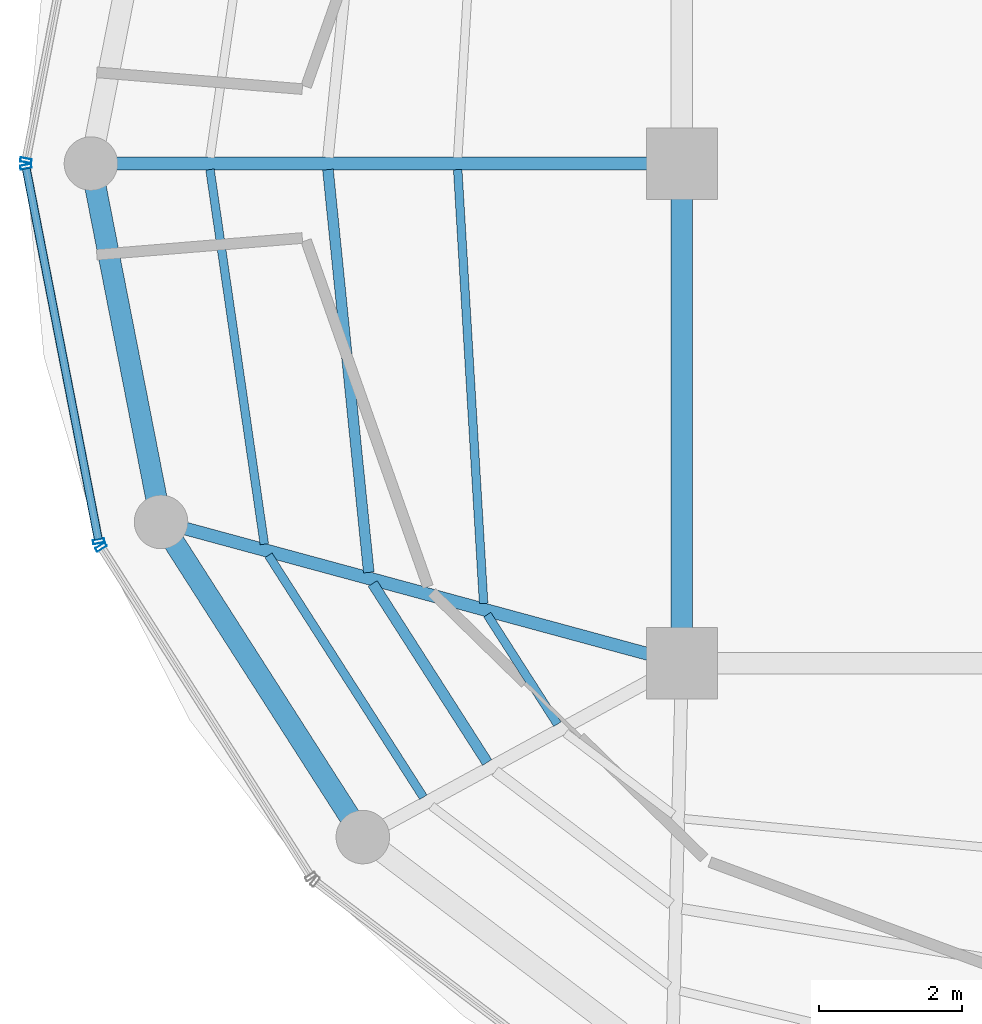
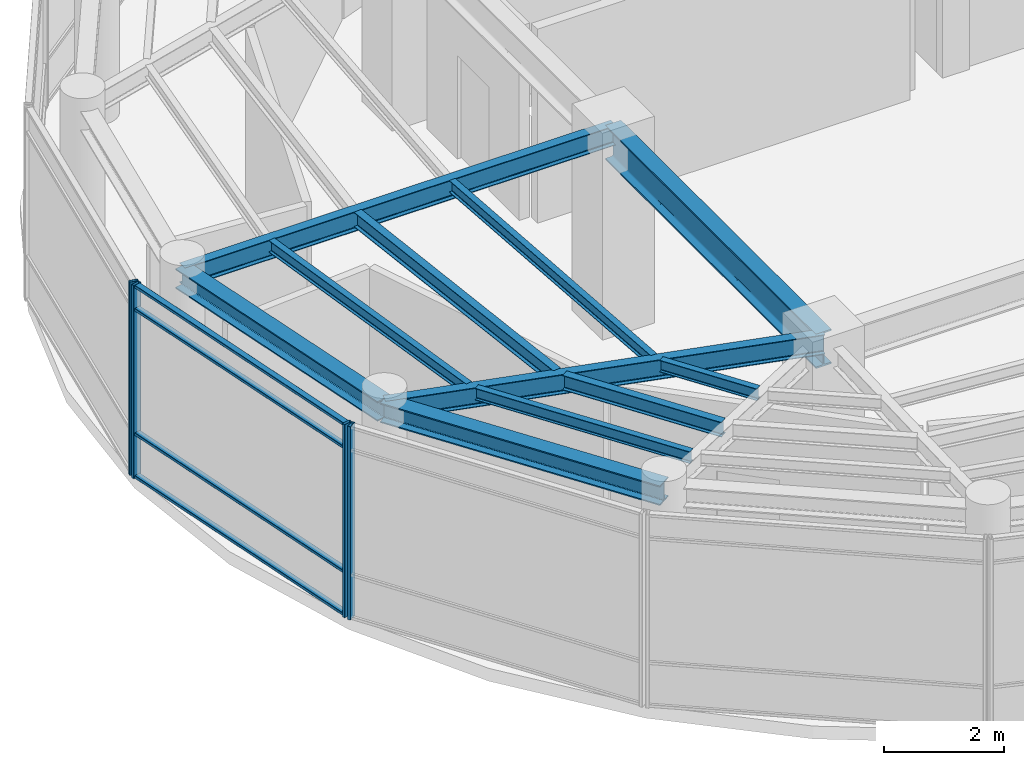
# One storey, part 4 of 19: 11 beams, 8 members, 3 elements without a shape of their own.
"""IFC4 building model written with IfcOpenShell, lengths in metres."""

from ifc_helpers import new_model, si_unit, direction, frame, origin, origin_2d, place, context, subcontext, project, spatial, hollow_rectangle, i_section, extrude, material, layer, layer_set, material_profile, profile_set, type_object, element, aggregate, save


model = new_model("IFC4")

# Units and contexts
model_context = context("Model", 3, precision=1e-05, world=origin(), true_north=direction((0.0, 1.0)))
body_context = subcontext(model_context, "Body", "Model", "MODEL_VIEW")
ifc_project = project(units=[si_unit("LENGTHUNIT", "METRE"), si_unit("AREAUNIT", "SQUARE_METRE"), si_unit("VOLUMEUNIT", "CUBIC_METRE"), si_unit("PLANEANGLEUNIT", "RADIAN"), si_unit("MASSUNIT", "GRAM", prefix="KILO")], contexts=[model_context])

# Site, building, storey
site_placement = place(None, origin())
site = spatial("IfcSite", under=ifc_project, at=site_placement, CompositionType="ELEMENT")
building_placement = place(site_placement, origin())
building = spatial("IfcBuilding", under=site, at=building_placement, Name="Kelanora Arch Commons", CompositionType="ELEMENT")
storey_placement = place(building_placement, frame((0.0, 0.0, 302.699951171875)))
storey = spatial("IfcBuildingStorey", under=building, at=storey_placement, Name="L77", CompositionType="ELEMENT", Elevation=302.699951171875)

# Beams
ifc_material_1 = material(Name="Steel S355", Category="steel")
ifc_material_profile_1 = material_profile(ifc_material_1, i_section(OverallWidth=0.300048828125, OverallDepth=0.699951171875, WebThickness=0.01708984375, FlangeThickness=0.031982421875, FilletRadius=0.027099609375, at=origin_2d()), Name="HEB700")
ifc_profile_set_1 = profile_set([ifc_material_profile_1], Name="Steel S355")
beam_type_1 = type_object("IfcBeamType", Name="BM-CORE-HDR", PredefinedType="BEAM", material=ifc_profile_set_1)
beam_1_placement = place(storey_placement, frame((66.0, 58.0, 3.590087890625), z_axis=(0.0, -1.0, 0.0), x_axis=(1.0, 0.0, 0.0)))
element("IfcBeam", 1, at=beam_1_placement, inside=storey, type_object=beam_type_1, Name="Core Header Beam 09 L77", PredefinedType="BEAM", context=body_context, shape_type="SweptSolid", body=[
    extrude(i_section(OverallWidth=0.300048828125, OverallDepth=0.699951171875, WebThickness=0.01708984375, FlangeThickness=0.031982421875, FilletRadius=0.027099609375, at=origin_2d()), origin(), (0.0, 0.0, 1.0), 7.0),
])
ifc_material_profile_2 = material_profile(ifc_material_1, i_section(OverallWidth=0.14990234375, OverallDepth=0.300048828125, WebThickness=0.007080078125, FlangeThickness=0.0107421875, FilletRadius=0.014892578125, at=origin_2d()), Name="IPE300")
ifc_profile_set_2 = profile_set([ifc_material_profile_2], Name="Steel S355")
beam_type_2 = type_object("IfcBeamType", Name="BM-JST-01", PredefinedType="JOIST", material=ifc_profile_set_2)
beam_2_placement = place(storey_placement, frame((61.04052734375, 57.915283203125, 3.7900390625), z_axis=(0.100846008885, -0.994902046682, 0.0), x_axis=(0.994902046682, 0.100846008885, 0.0)))
element("IfcBeam", 2, at=beam_2_placement, inside=storey, type_object=beam_type_2, Name="Secondary Chord Joist BJB-18 L77", PredefinedType="JOIST", context=body_context, shape_type="SweptSolid", body=[
    extrude(i_section(OverallWidth=0.14990234375, OverallDepth=0.300048828125, WebThickness=0.007080078125, FlangeThickness=0.0107421875, FilletRadius=0.014892578125, at=origin_2d()), origin(), (0.0, 0.0, 1.0), 5.672119140625),
])
beam_3_placement = place(storey_placement, frame((61.6669921875, 52.115966796875, 3.7900390625), z_axis=(0.539193378054, -0.84218198809, 0.0), x_axis=(0.84218198809, 0.539193378054, 0.0)))
element("IfcBeam", 3, at=beam_3_placement, inside=storey, type_object=beam_type_2, Name="Secondary Chord Joist BJB-20 L77", PredefinedType="JOIST", context=body_context, shape_type="SweptSolid", body=[
    extrude(i_section(OverallWidth=0.14990234375, OverallDepth=0.300048828125, WebThickness=0.007080078125, FlangeThickness=0.0107421875, FilletRadius=0.014892578125, at=origin_2d()), origin(), (0.0, 0.0, 1.0), 2.975830078125),
])
ifc_material_profile_3 = material_profile(ifc_material_1, i_section(OverallWidth=0.1201171875, OverallDepth=0.239990234375, WebThickness=0.006103515625, FlangeThickness=0.009765625, FilletRadius=0.014892578125, at=origin_2d()), Name="IPE240")
ifc_profile_set_3 = profile_set([ifc_material_profile_3], Name="Steel S355")
beam_type_3 = type_object("IfcBeamType", Name="BM-JST-02", PredefinedType="JOIST", material=ifc_profile_set_3)
beam_4_placement = place(storey_placement, frame((62.858642578125, 57.915283203125, 3.820068359375), z_axis=(0.059619828045, -0.998221155909, 0.0), x_axis=(0.998221155909, 0.059619828045, 0.0)))
element("IfcBeam", 4, at=beam_4_placement, inside=storey, type_object=beam_type_3, Name="Secondary Chord Joist BJA-18 L77", PredefinedType="JOIST", context=body_context, shape_type="SweptSolid", body=[
    extrude(i_section(OverallWidth=0.1201171875, OverallDepth=0.239990234375, WebThickness=0.006103515625, FlangeThickness=0.009765625, FilletRadius=0.014892578125, at=origin_2d()), origin(), (0.0, 0.0, 1.0), 6.089111328125),
])
beam_5_placement = place(storey_placement, frame((59.38818359375, 57.916015625, 3.820068359375), z_axis=(0.143489842264, -0.989651789857, 0.0), x_axis=(0.989651789857, 0.143489842264, 0.0)))
element("IfcBeam", 5, at=beam_5_placement, inside=storey, type_object=beam_type_3, Name="Secondary Chord Joist BJC-18 L77", PredefinedType="JOIST", context=body_context, shape_type="SweptSolid", body=[
    extrude(i_section(OverallWidth=0.1201171875, OverallDepth=0.239990234375, WebThickness=0.006103515625, FlangeThickness=0.009765625, FilletRadius=0.014892578125, at=origin_2d()), origin(), (0.0, 0.0, 1.0), 5.303466796875),
])
beam_6_placement = place(storey_placement, frame((63.2724609375, 51.680419921875, 3.820068359375), z_axis=(0.539300812993, -0.842113194947, 0.0), x_axis=(0.842113194947, 0.539300812993, 0.0)))
element("IfcBeam", 6, at=beam_6_placement, inside=storey, type_object=beam_type_3, Name="Secondary Chord Joist BJA-20 L77", PredefinedType="JOIST", context=body_context, shape_type="SweptSolid", body=[
    extrude(i_section(OverallWidth=0.1201171875, OverallDepth=0.239990234375, WebThickness=0.006103515625, FlangeThickness=0.009765625, FilletRadius=0.014892578125, at=origin_2d()), origin(), (0.0, 0.0, 1.0), 1.822021484375),
])
beam_7_placement = place(storey_placement, frame((60.207275390625, 52.51171875, 3.820068359375), z_axis=(0.539232732312, -0.842156790867, 0.0), x_axis=(0.842156790867, 0.539232732312, 0.0)))
element("IfcBeam", 7, at=beam_7_placement, inside=storey, type_object=beam_type_3, Name="Secondary Chord Joist BJC-20 L77", PredefinedType="JOIST", context=body_context, shape_type="SweptSolid", body=[
    extrude(i_section(OverallWidth=0.1201171875, OverallDepth=0.239990234375, WebThickness=0.006103515625, FlangeThickness=0.009765625, FilletRadius=0.014892578125, at=origin_2d()), origin(), (0.0, 0.0, 1.0), 4.024169921875),
])
ifc_material_profile_4 = material_profile(ifc_material_1, i_section(OverallWidth=0.179931640625, OverallDepth=0.39990234375, WebThickness=0.008544921875, FlangeThickness=0.013427734375, FilletRadius=0.02099609375, at=origin_2d()), Name="IPE400")
ifc_profile_set_4 = profile_set([ifc_material_profile_4], Name="Steel S355")
beam_type_4 = type_object("IfcBeamType", Name="BM-RAD-Z5", PredefinedType="BEAM", material=ifc_profile_set_4)
beam_8_placement = place(storey_placement, frame((66.0, 58.0, 3.739990234375), z_axis=(-1.0, 0.0, 0.0), x_axis=(0.0, -1.0, 0.0)))
element("IfcBeam", 8, at=beam_8_placement, inside=storey, type_object=beam_type_4, Name="Radial Floor Girder BR-18 L77", PredefinedType="BEAM", context=body_context, shape_type="SweptSolid", body=[
    extrude(i_section(OverallWidth=0.179931640625, OverallDepth=0.39990234375, WebThickness=0.008544921875, FlangeThickness=0.013427734375, FilletRadius=0.02099609375, at=origin_2d()), origin(), (0.0, 0.0, 1.0), 8.280029296875),
])
beam_9_placement = place(storey_placement, frame((66.0, 51.0, 3.739990234375), z_axis=(-0.965145027625, 0.26171563891, 0.0), x_axis=(-0.26171563891, -0.965145027625, 0.0)))
element("IfcBeam", 9, at=beam_9_placement, inside=storey, type_object=beam_type_4, Name="Radial Floor Girder BR-20 L77", PredefinedType="BEAM", context=body_context, shape_type="SweptSolid", body=[
    extrude(i_section(OverallWidth=0.179931640625, OverallDepth=0.39990234375, WebThickness=0.008544921875, FlangeThickness=0.013427734375, FilletRadius=0.02099609375, at=origin_2d()), origin(), (0.0, 0.0, 1.0), 7.561767578125),
])
ifc_material_profile_5 = material_profile(ifc_material_1, i_section(OverallWidth=0.300048828125, OverallDepth=0.39990234375, WebThickness=0.013427734375, FlangeThickness=0.02392578125, FilletRadius=0.027099609375, at=origin_2d()), Name="HEB400")
ifc_profile_set_5 = profile_set([ifc_material_profile_5], Name="Steel S355")
beam_type_5 = type_object("IfcBeamType", Name="BM-SPN-Z4", PredefinedType="SPANDREL", material=ifc_profile_set_5)
beam_10_placement = place(storey_placement, frame((57.719970703125, 58.0, 3.739990234375), z_axis=(0.191929675955, -0.981408681176, 0.0), x_axis=(0.981408681176, 0.191929675955, 0.0)))
element("IfcBeam", 10, at=beam_10_placement, inside=storey, type_object=beam_type_5, Name="Perimeter Spandrel Beam BS-18 L77", PredefinedType="SPANDREL", context=body_context, shape_type="SweptSolid", body=[
    extrude(i_section(OverallWidth=0.300048828125, OverallDepth=0.39990234375, WebThickness=0.013427734375, FlangeThickness=0.02392578125, FilletRadius=0.027099609375, at=origin_2d()), origin(), (0.0, 0.0, 1.0), 5.1162109375),
])
beam_11_placement = place(storey_placement, frame((58.701904296875, 52.97900390625, 3.739990234375), z_axis=(0.53922680048, -0.842160588987, 0.0), x_axis=(0.842160588987, 0.53922680048, 0.0)))
element("IfcBeam", 11, at=beam_11_placement, inside=storey, type_object=beam_type_5, Name="Perimeter Spandrel Beam BS-20 L77", PredefinedType="SPANDREL", context=body_context, shape_type="SweptSolid", body=[
    extrude(i_section(OverallWidth=0.300048828125, OverallDepth=0.39990234375, WebThickness=0.013427734375, FlangeThickness=0.02392578125, FilletRadius=0.027099609375, at=origin_2d()), origin(), (0.0, 0.0, 1.0), 5.242431640625),
])

# Curtain wall, member
ifc_material_2 = material(Name="Terracotta ceramic-fritted low-E glass and aluminium", Category="masonry")
ifc_layer = layer(ifc_material_2, 0.14990234375)
ifc_layer_set = layer_set([ifc_layer], Name="Terracotta ceramic-fritted low-E glass and aluminium")
curtain_wall_type = type_object("IfcCurtainWallType", Name="CW-SYS-06", PredefinedType="NOTDEFINED", material=ifc_layer_set)
curtain_wall_1_placement = place(storey_placement, origin())
curtain_wall_1 = element("IfcCurtainWall", 12, at=curtain_wall_1_placement, inside=storey, type_object=curtain_wall_type, Name="Unitised Curtain Wall L77-B08", PredefinedType="NOTDEFINED")
ifc_material_3 = material(Name="Powder-coated aluminium terracotta", Category="masonry")
ifc_material_profile_6 = material_profile(ifc_material_3, hollow_rectangle(XDim=0.159912109375, YDim=0.06005859375, WallThickness=0.0048828125, InnerFilletRadius=0.0048828125, OuterFilletRadius=0.010009765625, at=origin_2d()), Name="CWM160x60")
ifc_profile_set_6 = profile_set([ifc_material_profile_6], Name="Powder-coated aluminium terracotta")
member_type_1 = type_object("IfcMemberType", Name="CWM-STD", PredefinedType="MULLION", material=ifc_profile_set_6)
member_1_placement = place(storey_placement, frame((56.80859375, 58.044189453125, 0.0), z_axis=(0.0, 0.0, 1.0), x_axis=(0.981623765263, -0.190826579571, 0.0)))
member_1 = element("IfcMember", 13, at=member_1_placement, type_object=member_type_1, Name="CW-06 mullion 2", PredefinedType="MULLION", context=body_context, shape_type="SweptSolid", body=[
    extrude(hollow_rectangle(XDim=0.159912109375, YDim=0.06005859375, WallThickness=0.0048828125, InnerFilletRadius=0.0048828125, OuterFilletRadius=0.010009765625, at=origin_2d()), origin(), (0.0, 0.0, 1.0), 3.925048828125),
])
aggregate(curtain_wall_1, [member_1])

# Curtain wall, members
curtain_wall_2_placement = place(storey_placement, origin())
curtain_wall_2 = element("IfcCurtainWall", 14, at=curtain_wall_2_placement, inside=storey, type_object=curtain_wall_type, Name="Unitised Curtain Wall L77-B09", PredefinedType="NOTDEFINED")
member_2_placement = place(storey_placement, frame((56.80859375, 57.955810546875, 0.0), z_axis=(0.0, 0.0, 1.0), x_axis=(0.981623765263, 0.190826579571, 0.0)))
member_2 = element("IfcMember", 15, at=member_2_placement, type_object=member_type_1, Name="CW-06 mullion 1", PredefinedType="MULLION", context=body_context, shape_type="SweptSolid", body=[
    extrude(hollow_rectangle(XDim=0.159912109375, YDim=0.06005859375, WallThickness=0.0048828125, InnerFilletRadius=0.0048828125, OuterFilletRadius=0.010009765625, at=origin_2d()), origin(), (0.0, 0.0, 1.0), 3.925048828125),
])
member_3_placement = place(storey_placement, frame((57.82861328125, 52.708740234375, 0.0), z_axis=(0.0, 0.0, 1.0), x_axis=(0.981623765263, 0.190826579571, 0.0)))
member_3 = element("IfcMember", 16, at=member_3_placement, type_object=member_type_1, Name="CW-06 mullion 2", PredefinedType="MULLION", context=body_context, shape_type="SweptSolid", body=[
    extrude(hollow_rectangle(XDim=0.159912109375, YDim=0.06005859375, WallThickness=0.0048828125, InnerFilletRadius=0.0048828125, OuterFilletRadius=0.010009765625, at=origin_2d()), origin(), (0.0, 0.0, 1.0), 3.925048828125),
])

# Curtain wall, member
curtain_wall_3_placement = place(storey_placement, origin())
curtain_wall_3 = element("IfcCurtainWall", 17, at=curtain_wall_3_placement, inside=storey, type_object=curtain_wall_type, Name="Unitised Curtain Wall L77-B10", PredefinedType="NOTDEFINED")
member_4_placement = place(storey_placement, frame((57.861572265625, 52.62646484375, 0.0), z_axis=(0.0, 0.0, 1.0), x_axis=(0.84359225554, 0.536984270154, 0.0)))
member_4 = element("IfcMember", 18, at=member_4_placement, type_object=member_type_1, Name="CW-06 mullion 1", PredefinedType="MULLION", context=body_context, shape_type="SweptSolid", body=[
    extrude(hollow_rectangle(XDim=0.159912109375, YDim=0.06005859375, WallThickness=0.0048828125, InnerFilletRadius=0.0048828125, OuterFilletRadius=0.010009765625, at=origin_2d()), origin(), (0.0, 0.0, 1.0), 3.925048828125),
])
aggregate(curtain_wall_3, [member_4])

# Member
ifc_material_profile_7 = material_profile(ifc_material_3, hollow_rectangle(XDim=0.1201171875, YDim=0.06005859375, WallThickness=0.0048828125, InnerFilletRadius=0.0048828125, OuterFilletRadius=0.010009765625, at=origin_2d()), Name="CWT120x60")
ifc_profile_set_7 = profile_set([ifc_material_profile_7], Name="Powder-coated aluminium terracotta")
member_type_2 = type_object("IfcMemberType", Name="CWT-STD", PredefinedType="USERDEFINED", material=ifc_profile_set_7)
member_5_placement = place(storey_placement, frame((56.814453125, 57.926513671875, 0.030029296875), z_axis=(0.190810315943, -0.981626926755, 0.0), x_axis=(0.981626926755, 0.190810315943, 0.0)))
member_5 = element("IfcMember", 19, at=member_5_placement, type_object=member_type_2, Name="CW-06 transom 1.1", ObjectType="TRANSOM", PredefinedType="USERDEFINED", context=body_context, shape_type="SweptSolid", body=[
    extrude(hollow_rectangle(XDim=0.1201171875, YDim=0.06005859375, WallThickness=0.0048828125, InnerFilletRadius=0.0048828125, OuterFilletRadius=0.010009765625, at=origin_2d()), origin(), (0.0, 0.0, 1.0), 5.28564453125),
])

member_6_placement = place(storey_placement, frame((56.814453125, 57.926513671875, 0.900146484375), z_axis=(0.190810315943, -0.981626926755, 0.0), x_axis=(0.981626926755, 0.190810315943, 0.0)))
member_6 = element("IfcMember", 20, at=member_6_placement, type_object=member_type_2, Name="CW-06 transom 1.2", ObjectType="TRANSOM", PredefinedType="USERDEFINED", context=body_context, shape_type="SweptSolid", body=[
    extrude(hollow_rectangle(XDim=0.1201171875, YDim=0.06005859375, WallThickness=0.0048828125, InnerFilletRadius=0.0048828125, OuterFilletRadius=0.010009765625, at=origin_2d()), origin(), (0.0, 0.0, 1.0), 5.28564453125),
])

member_7_placement = place(storey_placement, frame((56.814453125, 57.926513671875, 3.425048828125), z_axis=(0.190810315943, -0.981626926755, 0.0), x_axis=(0.981626926755, 0.190810315943, 0.0)))
member_7 = element("IfcMember", 21, at=member_7_placement, type_object=member_type_2, Name="CW-06 transom 1.3", ObjectType="TRANSOM", PredefinedType="USERDEFINED", context=body_context, shape_type="SweptSolid", body=[
    extrude(hollow_rectangle(XDim=0.1201171875, YDim=0.06005859375, WallThickness=0.0048828125, InnerFilletRadius=0.0048828125, OuterFilletRadius=0.010009765625, at=origin_2d()), origin(), (0.0, 0.0, 1.0), 5.28564453125),
])

member_8_placement = place(storey_placement, frame((56.814453125, 57.926513671875, 3.89501953125), z_axis=(0.190810315943, -0.981626926755, 0.0), x_axis=(0.981626926755, 0.190810315943, 0.0)))
member_8 = element("IfcMember", 22, at=member_8_placement, type_object=member_type_2, Name="CW-06 transom 1.4", ObjectType="TRANSOM", PredefinedType="USERDEFINED", context=body_context, shape_type="SweptSolid", body=[
    extrude(hollow_rectangle(XDim=0.1201171875, YDim=0.06005859375, WallThickness=0.0048828125, InnerFilletRadius=0.0048828125, OuterFilletRadius=0.010009765625, at=origin_2d()), origin(), (0.0, 0.0, 1.0), 5.28564453125),
])

aggregate(curtain_wall_2, [member_2, member_3, member_5, member_6, member_7, member_8])

save(model, "model.ifc")
